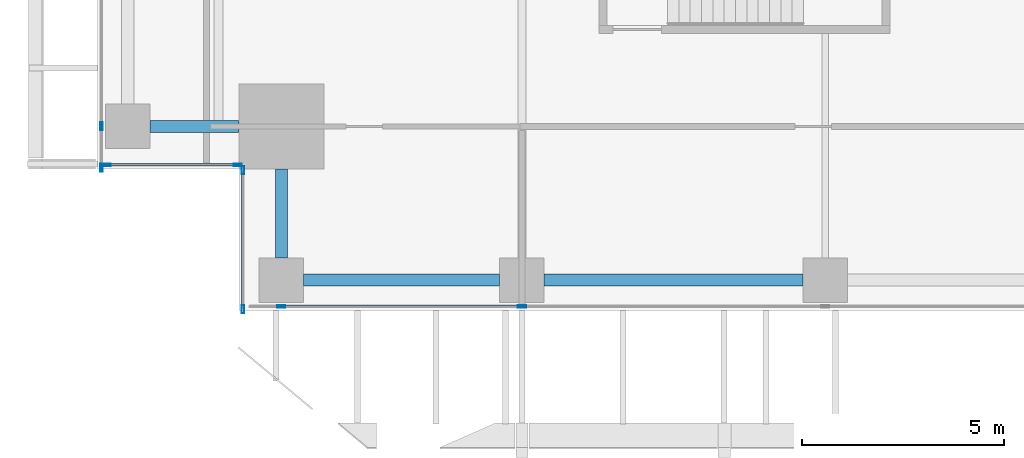
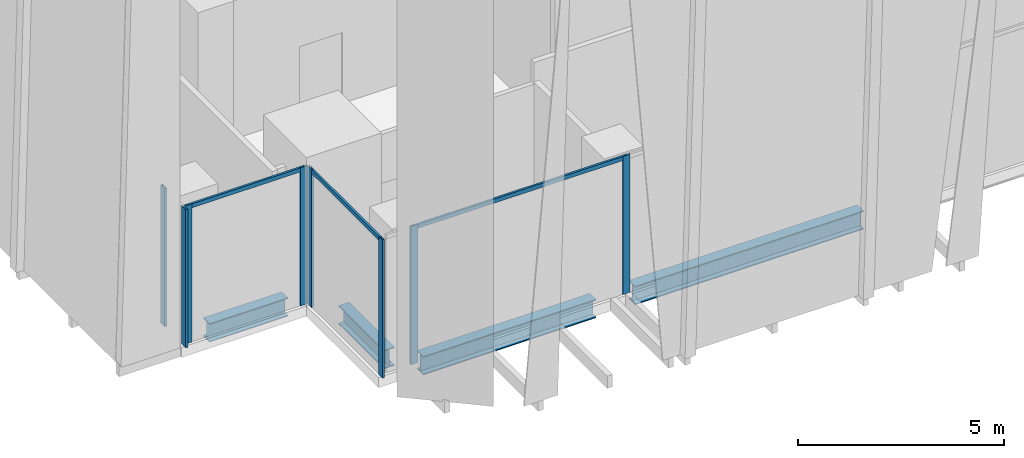
# One storey, part 2 of 36: 11 members, 4 beams, 4 elements without a shape of their own.
"""IFC4 building model written with IfcOpenShell, lengths in metres."""

from ifc_helpers import new_model, si_unit, direction, frame, origin, origin_2d, place, context, subcontext, project, spatial, hollow_rectangle, i_section, extrude, source, transform, mapped, material, material_profile, profile_set, type_object, element, aggregate, save


model = new_model("IFC4")

# Units and contexts
model_context = context("Model", 3, precision=1e-05, world=origin(), true_north=direction((0.0, 1.0)))
body_context = subcontext(model_context, "Body", "Model", "MODEL_VIEW")
ifc_project = project(units=[si_unit("LENGTHUNIT", "METRE"), si_unit("AREAUNIT", "SQUARE_METRE"), si_unit("VOLUMEUNIT", "CUBIC_METRE"), si_unit("PLANEANGLEUNIT", "RADIAN"), si_unit("MASSUNIT", "GRAM", prefix="KILO")], contexts=[model_context])

# Site, building, storey
site_placement = place(None, origin())
site = spatial("IfcSite", under=ifc_project, at=site_placement, CompositionType="ELEMENT")
building_placement = place(site_placement, origin())
building = spatial("IfcBuilding", under=site, at=building_placement, Name="Khomas Fold Tower", CompositionType="ELEMENT")
storey_placement = place(building_placement, frame((0.0, 0.0, 141.10009765625)))
storey = spatial("IfcBuildingStorey", under=building, at=storey_placement, Name="L30", CompositionType="ELEMENT", Elevation=141.10009765625)

# Beams
ifc_material_1 = material(Name="Steel S355", Category="steel")
ifc_material_profile_1 = material_profile(ifc_material_1, i_section(OverallWidth=0.300048828125, OverallDepth=0.550048828125, WebThickness=0.014892578125, FlangeThickness=0.029052734375, at=origin_2d()), Name="HE 550 B")
ifc_profile_set_1 = profile_set([ifc_material_profile_1], Name="Steel S355")
beam_type = type_object("IfcBeamType", Name="HE 550 B spandrel SB2", PredefinedType="SPANDREL", material=ifc_profile_set_1)
shared_shape_1 = source(origin(), body_context, "Body", "SweptSolid", [
    extrude(i_section(OverallWidth=0.300048828125, OverallDepth=0.550048828125, WebThickness=0.014892578125, FlangeThickness=0.029052734375, at=origin_2d()), origin(), (0.0, 0.0, 1.0), 4.849853515625),
])
beam_1_placement = place(storey_placement, frame((6.60009765625, 2.25, -0.5751953125), z_axis=(1.0, 0.0, 0.0), x_axis=(0.0, 1.0, 0.0)))
element("IfcBeam", 1, at=beam_1_placement, inside=storey, type_object=beam_type, Name="SB2", PredefinedType="SPANDREL", context=body_context, shape_type="MappedRepresentation", body=[
    mapped(shared_shape_1, transform((0.0, 0.0, 0.0))),
])
shared_shape_2 = source(origin(), body_context, "Body", "SweptSolid", [
    extrude(i_section(OverallWidth=0.300048828125, OverallDepth=0.550048828125, WebThickness=0.014892578125, FlangeThickness=0.029052734375, at=origin_2d()), origin(), (0.0, 0.0, 1.0), 6.39990234375),
])
beam_2_placement = place(storey_placement, frame((12.550048828125, 2.25, -0.5751953125), z_axis=(1.0, 0.0, 0.0), x_axis=(0.0, 1.0, 0.0)))
element("IfcBeam", 2, at=beam_2_placement, inside=storey, type_object=beam_type, Name="SB2", PredefinedType="SPANDREL", context=body_context, shape_type="MappedRepresentation", body=[
    mapped(shared_shape_2, transform((0.0, 0.0, 0.0))),
])
shared_shape_3 = source(origin(), body_context, "Body", "SweptSolid", [
    extrude(i_section(OverallWidth=0.300048828125, OverallDepth=0.550048828125, WebThickness=0.014892578125, FlangeThickness=0.029052734375, at=origin_2d()), origin(), (0.0, 0.0, 1.0), 2.199951171875),
])
for number, where, z_axis, x_axis, name in (
    (3, (2.800048828125, 6.050048828125, -0.5751953125), (1.0, 0.0, 0.0), (0.0, 1.0, 0.0), "SB2"),
    (4, (6.050048828125, 2.800048828125, -0.5751953125), (0.0, 1.0, 0.0), (-1.0, 0.0, 0.0), "SB2"),
):
    element("IfcBeam", number, at=place(storey_placement, frame(where, z_axis=z_axis, x_axis=x_axis)), inside=storey, type_object=beam_type, Name=name, PredefinedType="SPANDREL", context=body_context, shape_type="MappedRepresentation", body=[
        mapped(shared_shape_3, transform((0.0, 0.0, 0.0))),
    ])

# Curtain wall, member
ifc_material_2 = material(Name="Aluminium framed double glazing", Category="aluminium")
curtain_wall_type = type_object("IfcCurtainWallType", Name="SK-Unitised clear-glass wall, growing floors CW1", PredefinedType="NOTDEFINED", material=ifc_material_2)
curtain_wall_1_placement = place(storey_placement, origin())
curtain_wall_1 = element("IfcCurtainWall", 5, at=curtain_wall_1_placement, inside=storey, type_object=curtain_wall_type, Name="CW1 run L30 00-0", PredefinedType="NOTDEFINED")
ifc_material_3 = material(Name="Aluminium", Category="aluminium")
ifc_material_profile_2 = material_profile(ifc_material_3, hollow_rectangle(XDim=0.06005859375, YDim=0.1201171875, WallThickness=0.00390625, at=origin_2d()), Name="SK-Unitised clear-glass wall, growing floors transom CW1-T")
ifc_profile_set_2 = profile_set([ifc_material_profile_2], Name="Aluminium")
member_type_1 = type_object("IfcMemberType", Name="SK-Unitised clear-glass wall, growing floors transom CW1-T", PredefinedType="USERDEFINED", material=ifc_profile_set_2)
shared_shape_4 = source(origin(), body_context, "Body", "SweptSolid", [
    extrude(hollow_rectangle(XDim=0.06005859375, YDim=0.1201171875, WallThickness=0.00390625, at=origin_2d()), origin(), (0.0, 0.0, 1.0), 5.889892578125),
])
member_1_placement = place(storey_placement, frame((6.080078125, 1.60009765625, 4.039794921875), z_axis=(1.0, 0.0, 0.0), x_axis=(0.0, 1.0, 0.0)))
member_1 = element("IfcMember", 6, at=member_1_placement, type_object=member_type_1, Name="CW1 transom 2", ObjectType="TRANSOM", PredefinedType="USERDEFINED", context=body_context, shape_type="MappedRepresentation", body=[
    mapped(shared_shape_4, transform((0.0, 0.0, 0.0))),
])

curtain_wall_2_placement = place(storey_placement, origin())
curtain_wall_2 = element("IfcCurtainWall", 7, at=curtain_wall_2_placement, inside=storey, type_object=curtain_wall_type, Name="CW1 corner return L30 10", PredefinedType="NOTDEFINED")
shared_shape_5 = source(origin(), body_context, "Body", "SweptSolid", [
    extrude(hollow_rectangle(XDim=0.06005859375, YDim=0.1201171875, WallThickness=0.00390625, at=origin_2d()), origin(), (0.0, 0.0, 1.0), 3.179931640625),
])
member_2_placement = place(storey_placement, frame((1.760009765625, 5.10009765625, 4.039794921875), z_axis=(1.0, 0.0, 0.0), x_axis=(0.0, 1.0, 0.0)))
member_2 = element("IfcMember", 8, at=member_2_placement, type_object=member_type_1, Name="CW1 transom 1", ObjectType="TRANSOM", PredefinedType="USERDEFINED", context=body_context, shape_type="MappedRepresentation", body=[
    mapped(shared_shape_5, transform((0.0, 0.0, 0.0))),
])

curtain_wall_3_placement = place(storey_placement, origin())
curtain_wall_3 = element("IfcCurtainWall", 9, at=curtain_wall_3_placement, inside=storey, type_object=curtain_wall_type, Name="CW1 corner return L30 11", PredefinedType="NOTDEFINED")
shared_shape_6 = source(origin(), body_context, "Body", "SweptSolid", [
    extrude(hollow_rectangle(XDim=0.06005859375, YDim=0.1201171875, WallThickness=0.00390625, at=origin_2d()), origin(), (0.0, 0.0, 1.0), 3.3798828125),
])
member_3_placement = place(storey_placement, frame((5.10009765625, 4.93994140625, 4.039794921875), z_axis=(0.0, -1.0, 0.0), x_axis=(1.0, 0.0, 0.0)))
member_3 = element("IfcMember", 10, at=member_3_placement, type_object=member_type_1, Name="CW1 transom 1", ObjectType="TRANSOM", PredefinedType="USERDEFINED", context=body_context, shape_type="MappedRepresentation", body=[
    mapped(shared_shape_6, transform((0.0, 0.0, 0.0))),
])

# Member
ifc_material_4 = material(Name="Aluminium", Category="aluminium")
ifc_material_profile_3 = material_profile(ifc_material_4, hollow_rectangle(XDim=0.06005859375, YDim=0.199951171875, WallThickness=0.00390625, at=origin_2d()), Name="SK-Unitised clear-glass wall, growing floors mullion CW1-M")
ifc_profile_set_3 = profile_set([ifc_material_profile_3], Name="Aluminium")
member_type_2 = type_object("IfcMemberType", Name="SK-Unitised clear-glass wall, growing floors mullion CW1-M", PredefinedType="MULLION", material=ifc_profile_set_3)
shared_shape_7 = source(origin(), body_context, "Body", "SweptSolid", [
    extrude(hollow_rectangle(XDim=0.06005859375, YDim=0.199951171875, WallThickness=0.00390625, at=origin_2d()), origin(), (0.0, 0.0, 1.0), 4.099853515625),
])
member_4_placement = place(storey_placement, frame((6.050048828125, 1.60009765625, 0.0), z_axis=(0.0, 0.0, 1.0), x_axis=(0.0, 1.0, 0.0)))
member_4 = element("IfcMember", 11, at=member_4_placement, type_object=member_type_2, Name="CW1 mullion 2", PredefinedType="MULLION", context=body_context, shape_type="MappedRepresentation", body=[
    mapped(shared_shape_7, transform((0.0, 0.0, 0.0))),
])

member_5_placement = place(storey_placement, frame((12.0, 1.60009765625, 0.0), z_axis=(0.0, 0.0, 1.0), x_axis=(0.0, 1.0, 0.0)))
member_5 = element("IfcMember", 12, at=member_5_placement, type_object=member_type_2, Name="CW1 mullion 3", PredefinedType="MULLION", context=body_context, shape_type="MappedRepresentation", body=[
    mapped(shared_shape_7, transform((0.0, 0.0, 0.0))),
])

aggregate(curtain_wall_1, [member_4, member_5, member_1])

# Curtain wall, members
curtain_wall_4_placement = place(storey_placement, origin())
curtain_wall_4 = element("IfcCurtainWall", 13, at=curtain_wall_4_placement, inside=storey, type_object=curtain_wall_type, Name="CW1 run L30 09-0", PredefinedType="NOTDEFINED")
member_6_placement = place(storey_placement, frame((1.60009765625, 6.050048828125, 0.0), z_axis=(0.0, 0.0, 1.0), x_axis=(1.0, 0.0, 0.0)))
member_6 = element("IfcMember", 14, at=member_6_placement, type_object=member_type_2, Name="CW1 mullion 8", PredefinedType="MULLION", context=body_context, shape_type="MappedRepresentation", body=[
    mapped(shared_shape_7, transform((0.0, 0.0, 0.0))),
])
member_7_placement = place(storey_placement, frame((1.60009765625, 5.030029296875, 0.0), z_axis=(0.0, 0.0, 1.0), x_axis=(1.0, 0.0, 0.0)))
member_7 = element("IfcMember", 15, at=member_7_placement, type_object=member_type_2, Name="CW1 mullion 9", PredefinedType="MULLION", context=body_context, shape_type="MappedRepresentation", body=[
    mapped(shared_shape_7, transform((0.0, 0.0, 0.0))),
])
aggregate(curtain_wall_4, [member_6, member_7])

# Member
member_8_placement = place(storey_placement, frame((1.72998046875, 5.10009765625, 0.0), z_axis=(0.0, 0.0, 1.0), x_axis=(0.0, 1.0, 0.0)))
member_8 = element("IfcMember", 16, at=member_8_placement, type_object=member_type_2, Name="CW1 mullion 1", PredefinedType="MULLION", context=body_context, shape_type="MappedRepresentation", body=[
    mapped(shared_shape_7, transform((0.0, 0.0, 0.0))),
])

member_9_placement = place(storey_placement, frame((4.969970703125, 5.10009765625, 0.0), z_axis=(0.0, 0.0, 1.0), x_axis=(0.0, 1.0, 0.0)))
member_9 = element("IfcMember", 17, at=member_9_placement, type_object=member_type_2, Name="CW1 mullion 2", PredefinedType="MULLION", context=body_context, shape_type="MappedRepresentation", body=[
    mapped(shared_shape_7, transform((0.0, 0.0, 0.0))),
])

aggregate(curtain_wall_2, [member_8, member_9, member_2])

member_10_placement = place(storey_placement, frame((5.10009765625, 4.969970703125, 0.0), z_axis=(0.0, 0.0, 1.0), x_axis=(1.0, 0.0, 0.0)))
member_10 = element("IfcMember", 18, at=member_10_placement, type_object=member_type_2, Name="CW1 mullion 1", PredefinedType="MULLION", context=body_context, shape_type="MappedRepresentation", body=[
    mapped(shared_shape_7, transform((0.0, 0.0, 0.0))),
])

member_11_placement = place(storey_placement, frame((5.10009765625, 1.530029296875, 0.0), z_axis=(0.0, 0.0, 1.0), x_axis=(1.0, 0.0, 0.0)))
member_11 = element("IfcMember", 19, at=member_11_placement, type_object=member_type_2, Name="CW1 mullion 2", PredefinedType="MULLION", context=body_context, shape_type="MappedRepresentation", body=[
    mapped(shared_shape_7, transform((0.0, 0.0, 0.0))),
])

aggregate(curtain_wall_3, [member_10, member_11, member_3])

save(model, "model.ifc")
